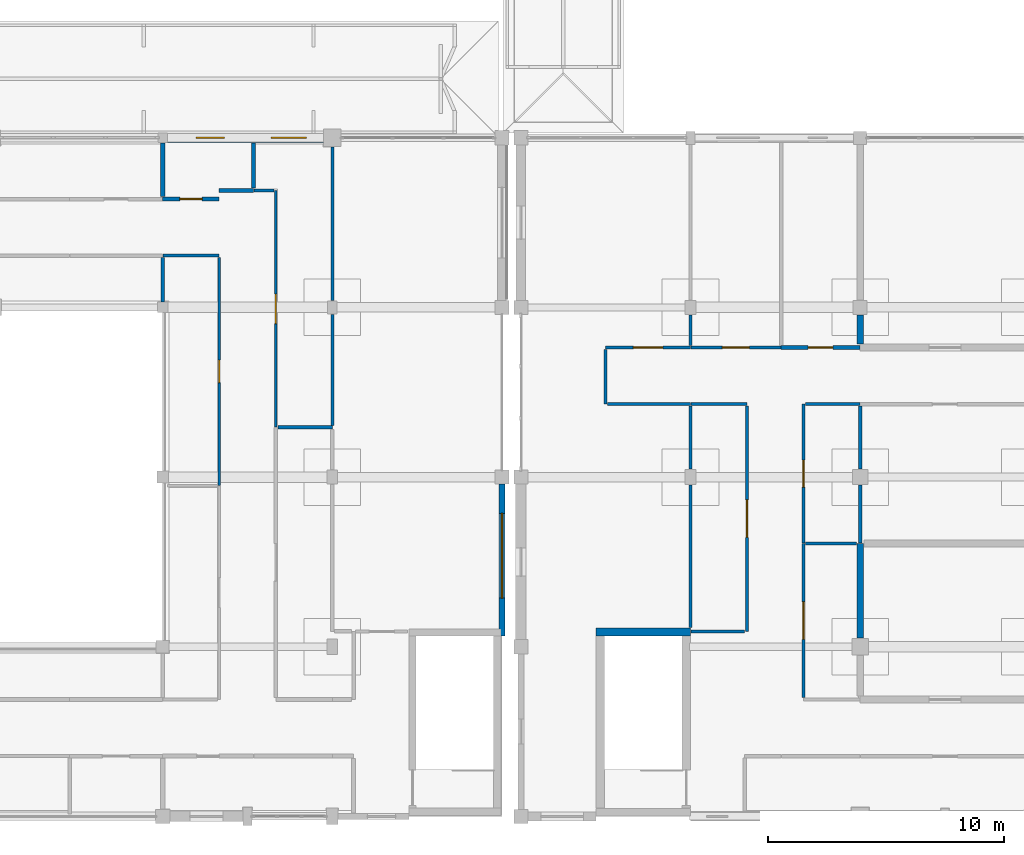
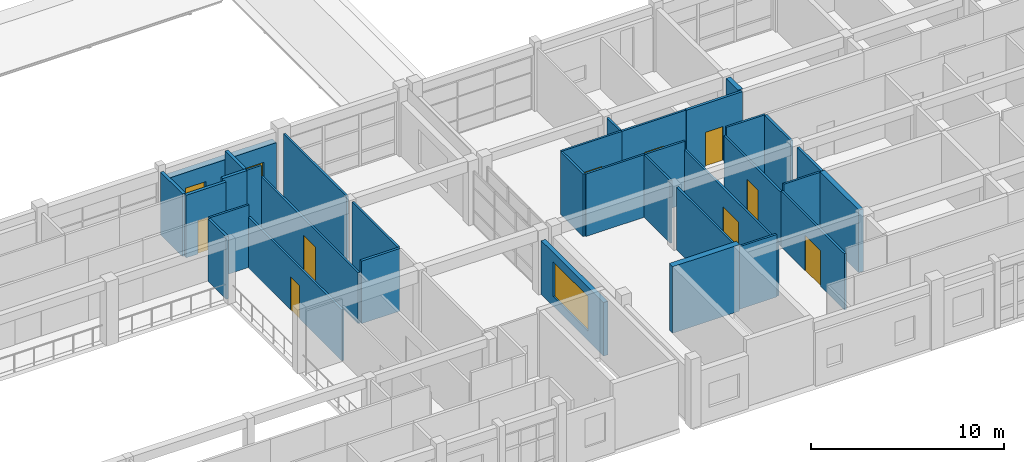
# One storey, part 79 of 110: 34 walls, 9 doors, 3 windows, 12 openings.
"""IFC4 building model written with IfcOpenShell, lengths in metres."""

from ifc_helpers import new_model, si_unit, direction, frame, frame_2d, origin, place, context, subcontext, project, spatial, rectangle, extrude, material, layer, layer_set, type_object, element, fill, save


model = new_model("IFC4")

# Units and contexts
model_context = context("Model", 3, precision=1e-05, world=origin(), true_north=direction((0.0, 1.0)))
body_context = subcontext(model_context, "Body", "Model", "MODEL_VIEW")
ifc_project = project(units=[si_unit("LENGTHUNIT", "METRE"), si_unit("AREAUNIT", "SQUARE_METRE"), si_unit("VOLUMEUNIT", "CUBIC_METRE"), si_unit("PLANEANGLEUNIT", "RADIAN"), si_unit("MASSUNIT", "GRAM", prefix="KILO")], contexts=[model_context])

# Site, building, storey
site_placement = place(None, origin())
site = spatial("IfcSite", under=ifc_project, at=site_placement, CompositionType="ELEMENT")
building_placement = place(site_placement, origin())
building = spatial("IfcBuilding", under=site, at=building_placement, Name="Steenspoor Specialist Clinic", CompositionType="ELEMENT")
storey_placement = place(building_placement, frame((0.0, 0.0, 4.800048828125)))
storey = spatial("IfcBuildingStorey", under=building, at=storey_placement, Name="L01", CompositionType="ELEMENT", Elevation=4.800048828125)

# Wall, openings, windows
ifc_material_1 = material(Name="Extruded clay brick masonry", Category="masonry")
ifc_layer_1 = layer(ifc_material_1, 0.409912109375)
ifc_layer_set_1 = layer_set([ifc_layer_1], Name="Extruded clay brick masonry")
wall_type_1 = type_object("IfcWallType", Name="W-BRICK-410", PredefinedType="USERDEFINED", material=ifc_layer_set_1)
wall_1_placement = place(storey_placement, frame((103.0, 41.85009765625, 0.0), z_axis=(0.0, 0.0, 1.0), x_axis=(1.0, 0.0, 0.0)))
wall_1 = element("IfcWall", 1, at=wall_1_placement, inside=storey, type_object=wall_type_1, Name="Exterior Brick Wall EW-V1-L01-0032", ObjectType="CAVITY VENEER", PredefinedType="USERDEFINED", context=body_context, shape_type="SweptSolid", body=[
    extrude(rectangle(XDim=6.625, YDim=0.409912109375, at=frame_2d((3.3125, 0.0))), origin(), (0.0, 0.0, 1.0), 3.3798828125),
])
opening_1_placement = place(wall_1_placement, frame((1.215087890625, 0.0, 0.89990234375)))
opening_1 = element("IfcOpeningElement", 2, at=opening_1_placement, cuts=wall_1, Name="Opening WN-11", PredefinedType="OPENING", context=body_context, shape_type="SweptSolid", body=[
    extrude(rectangle(XDim=1.199951171875, YDim=1.5, at=frame_2d((0.60009765625, 0.75))), frame((0.0, 0.21484375, 0.0), z_axis=(0.0, -1.0, 0.0), x_axis=(1.0, 0.0, 0.0)), (0.0, 0.0, 1.0), 0.429931640625),
])
opening_2_placement = place(wall_1_placement, frame((4.3974609375, 0.0, 0.89990234375)))
opening_2 = element("IfcOpeningElement", 3, at=opening_2_placement, cuts=wall_1, Name="Opening WN-12", PredefinedType="OPENING", context=body_context, shape_type="SweptSolid", body=[
    extrude(rectangle(XDim=1.5, YDim=1.5, at=frame_2d((0.75, 0.75))), frame((0.0, 0.21484375, 0.0), z_axis=(0.0, -1.0, 0.0), x_axis=(1.0, 0.0, 0.0)), (0.0, 0.0, 1.0), 0.429931640625),
])
ifc_material_2 = material(Name="Thermally broken aluminium and low-emissivity glass", Category="aluminium")
window_type_1 = type_object("IfcWindowType", Name="WN-EXT-120X150", PartitioningType="SINGLE_PANEL", PredefinedType="WINDOW", material=ifc_material_2)
window_1_placement = place(opening_1_placement, origin())
window_1 = element("IfcWindow", 4, at=window_1_placement, inside=storey, type_object=window_type_1, Name="Window 0040", OverallHeight=1.5, OverallWidth=1.199951171875, PartitioningType="SINGLE_PANEL", PredefinedType="WINDOW", context=body_context, shape_type="SweptSolid", body=[
    extrude(rectangle(XDim=1.199951171875, YDim=1.5, at=frame_2d((0.60009765625, 0.75))), frame((0.0, 0.030029296875, 0.0), z_axis=(0.0, -1.0, 0.0), x_axis=(1.0, 0.0, 0.0)), (0.0, 0.0, 1.0), 0.06005859375),
])
fill(opening_1, window_1)
window_type_2 = type_object("IfcWindowType", Name="WN-EXT-150X150", PartitioningType="SINGLE_PANEL", PredefinedType="WINDOW", material=ifc_material_2)
window_2_placement = place(opening_2_placement, origin())
window_2 = element("IfcWindow", 5, at=window_2_placement, inside=storey, type_object=window_type_2, Name="Window 0041", OverallHeight=1.5, OverallWidth=1.5, PartitioningType="SINGLE_PANEL", PredefinedType="WINDOW", context=body_context, shape_type="SweptSolid", body=[
    extrude(rectangle(XDim=1.5, YDim=1.5, at=frame_2d((0.75, 0.75))), frame((0.0, 0.030029296875, 0.0), z_axis=(0.0, -1.0, 0.0), x_axis=(1.0, 0.0, 0.0)), (0.0, 0.0, 1.0), 0.06005859375),
])
fill(opening_2, window_2)

# Wall, opening, door
ifc_material_3 = material(Name="Gypsum acoustic clinical partition", Category="gypsum")
ifc_layer_2 = layer(ifc_material_3, 0.14990234375)
ifc_layer_set_2 = layer_set([ifc_layer_2], Name="Gypsum acoustic clinical partition")
wall_type_2 = type_object("IfcWallType", Name="W-CLIN-150", PredefinedType="PARTITIONING", material=ifc_layer_set_2)
wall_2_placement = place(storey_placement, frame((129.050048828125, 32.949951171875, 0.0), z_axis=(0.0, 0.0, 1.0), x_axis=(1.0, 0.0, 0.0)))
wall_2 = element("IfcWall", 6, at=wall_2_placement, inside=storey, type_object=wall_type_2, Name="Interior Partition IW-V2-L01-0877", PredefinedType="PARTITIONING", context=body_context, shape_type="SweptSolid", body=[
    extrude(rectangle(XDim=3.3349609375, YDim=0.14990234375, at=frame_2d((1.66748046875, 0.0))), origin(), (0.0, 0.0, 1.0), 3.949951171875),
])
opening_3_placement = place(wall_2_placement, frame((1.142578125, 0.0, 0.0)))
opening_3 = element("IfcOpeningElement", 7, at=opening_3_placement, cuts=wall_2, Name="Opening D0124", PredefinedType="OPENING", context=body_context, shape_type="SweptSolid", body=[
    extrude(rectangle(XDim=1.050048828125, YDim=2.14990234375, at=frame_2d((0.52490234375, 1.074951171875))), frame((0.0, 0.0849609375, 0.0), z_axis=(0.0, -1.0, 0.0), x_axis=(1.0, 0.0, 0.0)), (0.0, 0.0, 1.0), 0.169921875),
])
ifc_material_4 = material(Name="Solid-core hardwood office door", Category="wood")
door_type_1 = type_object("IfcDoorType", Name="DT-OFF-105X215", OperationType="NOTDEFINED", PredefinedType="DOOR", material=ifc_material_4)
door_1_placement = place(opening_3_placement, origin())
door_1 = element("IfcDoor", 8, at=door_1_placement, inside=storey, type_object=door_type_1, Name="Clinical Door D0124", OperationType="SINGLE_SWING_LEFT", OverallHeight=2.14990234375, OverallWidth=1.050048828125, PredefinedType="DOOR", context=body_context, shape_type="SweptSolid", body=[
    extrude(rectangle(XDim=1.050048828125, YDim=2.14990234375, at=frame_2d((0.52490234375, 1.074951171875))), frame((0.0, 0.02490234375, 0.0), z_axis=(0.0, -1.0, 0.0), x_axis=(1.0, 0.0, 0.0)), (0.0, 0.0, 1.0), 0.050048828125),
])
fill(opening_3, door_1)

# Walls
wall_3_placement = place(storey_placement, frame((107.68994140625, 29.56005859375, 0.0), z_axis=(0.0, 0.0, 1.0), x_axis=(1.0, 0.0, 0.0)))
element("IfcWall", 9, at=wall_3_placement, inside=storey, type_object=wall_type_2, Name="Interior Partition IW-V1-L01-1134", PredefinedType="PARTITIONING", context=body_context, shape_type="SweptSolid", body=[
    extrude(rectangle(XDim=2.31005859375, YDim=0.14990234375, at=frame_2d((1.155029296875, 0.0))), origin(), (0.0, 0.0, 1.0), 3.949951171875),
])
wall_4_placement = place(storey_placement, frame((102.800048828125, 34.889892578125, 0.0), z_axis=(0.0, 0.0, 1.0), x_axis=(0.0, 1.0, 0.0)))
element("IfcWall", 10, at=wall_4_placement, inside=storey, type_object=wall_type_2, Name="Interior Partition IW-V1-L01-1138", PredefinedType="PARTITIONING", context=body_context, shape_type="SweptSolid", body=[
    extrude(rectangle(XDim=1.8701171875, YDim=0.14990234375, at=frame_2d((0.93505859375, 0.0))), origin(), (0.0, 0.0, 1.0), 3.949951171875),
])
wall_5_placement = place(storey_placement, frame((132.39990234375, 24.64501953125, 0.0), z_axis=(0.0, 0.0, 1.0), x_axis=(0.0, 1.0, 0.0)))
element("IfcWall", 11, at=wall_5_placement, inside=storey, type_object=wall_type_2, Name="Interior Partition IW-V2-L01-1171", PredefinedType="PARTITIONING", context=body_context, shape_type="SweptSolid", body=[
    extrude(rectangle(XDim=2.465087890625, YDim=0.14990234375, at=frame_2d((1.232421875, 0.0))), origin(), (0.0, 0.0, 1.0), 3.949951171875),
])
wall_6_placement = place(storey_placement, frame((132.39990234375, 27.7900390625, 0.0), z_axis=(0.0, 0.0, 1.0), x_axis=(0.0, 1.0, 0.0)))
element("IfcWall", 12, at=wall_6_placement, inside=storey, type_object=wall_type_2, Name="Interior Partition IW-V2-L01-1172", PredefinedType="PARTITIONING", context=body_context, shape_type="SweptSolid", body=[
    extrude(rectangle(XDim=2.669921875, YDim=0.14990234375, at=frame_2d((1.3349609375, 0.0))), origin(), (0.0, 0.0, 1.0), 3.949951171875),
])
ifc_material_5 = material(Name="Gypsum studio partition board", Category="gypsum")
ifc_layer_3 = layer(ifc_material_5, 0.1201171875)
ifc_layer_set_3 = layer_set([ifc_layer_3], Name="Gypsum studio partition board")
wall_type_3 = type_object("IfcWallType", Name="W-PART-120", PredefinedType="PARTITIONING", material=ifc_layer_set_3)
wall_7_placement = place(storey_placement, frame((102.81494140625, 36.85009765625, 0.0), z_axis=(0.0, 0.0, 1.0), x_axis=(1.0, 0.0, 0.0)))
element("IfcWall", 13, at=wall_7_placement, inside=storey, type_object=wall_type_3, Name="Interior Partition IW-V1-L01-0948", PredefinedType="PARTITIONING", context=body_context, shape_type="SweptSolid", body=[
    extrude(rectangle(XDim=2.385009765625, YDim=0.1201171875, at=frame_2d((1.1923828125, 0.0))), origin(), (0.0, 0.0, 1.0), 3.949951171875),
])

# Wall, opening, door
wall_8_placement = place(storey_placement, frame((105.199951171875, 27.094970703125, 0.0), z_axis=(0.0, 0.0, 1.0), x_axis=(0.0, 1.0, 0.0)))
wall_8 = element("IfcWall", 14, at=wall_8_placement, inside=storey, type_object=wall_type_3, Name="Interior Partition IW-V1-L01-0949", PredefinedType="PARTITIONING", context=body_context, shape_type="SweptSolid", body=[
    extrude(rectangle(XDim=9.679931640625, YDim=0.1201171875, at=frame_2d((4.83984375, 0.0))), origin(), (0.0, 0.0, 1.0), 3.219970703125),
])
opening_4_placement = place(wall_8_placement, frame((4.364990234375, 0.0, 0.0)))
opening_4 = element("IfcOpeningElement", 15, at=opening_4_placement, cuts=wall_8, Name="Opening D0066", PredefinedType="OPENING", context=body_context, shape_type="SweptSolid", body=[
    extrude(rectangle(XDim=0.949951171875, YDim=2.10009765625, at=frame_2d((0.47509765625, 1.050048828125))), frame((0.0, 0.070068359375, 0.0), z_axis=(0.0, -1.0, 0.0), x_axis=(1.0, 0.0, 0.0)), (0.0, 0.0, 1.0), 0.14013671875),
])
ifc_material_6 = material(Name="Moisture-resistant HPL sanitary door", Category="wood")
door_type_2 = type_object("IfcDoorType", Name="DT-WC-095X210", OperationType="NOTDEFINED", PredefinedType="DOOR", material=ifc_material_6)
door_2_placement = place(opening_4_placement, origin())
door_2 = element("IfcDoor", 16, at=door_2_placement, inside=storey, type_object=door_type_2, Name="Clinical Door D0066", OperationType="SINGLE_SWING_LEFT", OverallHeight=2.10009765625, OverallWidth=0.949951171875, PredefinedType="DOOR", context=body_context, shape_type="SweptSolid", body=[
    extrude(rectangle(XDim=0.949951171875, YDim=2.10009765625, at=frame_2d((0.47509765625, 1.050048828125))), frame((0.0, 0.02490234375, 0.0), z_axis=(0.0, -1.0, 0.0), x_axis=(1.0, 0.0, 0.0)), (0.0, 0.0, 1.0), 0.050048828125),
])
fill(opening_4, door_2)

wall_9_placement = place(storey_placement, frame((107.60009765625, 29.574951171875, 0.0), z_axis=(0.0, 0.0, 1.0), x_axis=(0.0, 1.0, 0.0)))
wall_9 = element("IfcWall", 17, at=wall_9_placement, inside=storey, type_object=wall_type_3, Name="Interior Partition IW-V1-L01-0950", PredefinedType="PARTITIONING", context=body_context, shape_type="SweptSolid", body=[
    extrude(rectangle(XDim=10.03515625, YDim=0.1201171875, at=frame_2d((5.017578125, 0.0))), origin(), (0.0, 0.0, 1.0), 3.219970703125),
])
opening_5_placement = place(wall_9_placement, frame((4.392578125, 0.0, 0.0)))
opening_5 = element("IfcOpeningElement", 18, at=opening_5_placement, cuts=wall_9, Name="Opening D0068", PredefinedType="OPENING", context=body_context, shape_type="SweptSolid", body=[
    extrude(rectangle(XDim=1.25, YDim=2.14990234375, at=frame_2d((0.625, 1.074951171875))), frame((0.0, 0.070068359375, 0.0), z_axis=(0.0, -1.0, 0.0), x_axis=(1.0, 0.0, 0.0)), (0.0, 0.0, 1.0), 0.14013671875),
])
ifc_material_7 = material(Name="Hygienic HPL clinical timber door", Category="wood")
door_type_3 = type_object("IfcDoorType", Name="DT-EXAM-125X215", OperationType="NOTDEFINED", PredefinedType="DOOR", material=ifc_material_7)
door_3_placement = place(opening_5_placement, origin())
door_3 = element("IfcDoor", 19, at=door_3_placement, inside=storey, type_object=door_type_3, Name="Clinical Door D0068", OperationType="SINGLE_SWING_LEFT", OverallHeight=2.14990234375, OverallWidth=1.25, PredefinedType="DOOR", context=body_context, shape_type="SweptSolid", body=[
    extrude(rectangle(XDim=1.25, YDim=2.14990234375, at=frame_2d((0.625, 1.074951171875))), frame((0.0, 0.02490234375, 0.0), z_axis=(0.0, -1.0, 0.0), x_axis=(1.0, 0.0, 0.0)), (0.0, 0.0, 1.0), 0.050048828125),
])
fill(opening_5, door_3)

# Wall
wall_10_placement = place(storey_placement, frame((106.6650390625, 39.610107421875, 0.0), z_axis=(0.0, 0.0, 1.0), x_axis=(1.0, 0.0, 0.0)))
element("IfcWall", 20, at=wall_10_placement, inside=storey, type_object=wall_type_3, Name="Interior Partition IW-V1-L01-0951", PredefinedType="PARTITIONING", context=body_context, shape_type="SweptSolid", body=[
    extrude(rectangle(XDim=0.85986328125, YDim=0.1201171875, at=frame_2d((0.429931640625, 0.0))), origin(), (0.0, 0.0, 1.0), 3.949951171875),
])

# Wall, opening, door
wall_11_placement = place(storey_placement, frame((121.60009765625, 32.949951171875, 0.0), z_axis=(0.0, 0.0, 1.0), x_axis=(1.0, 0.0, 0.0)))
wall_11 = element("IfcWall", 21, at=wall_11_placement, inside=storey, type_object=wall_type_3, Name="Interior Partition IW-V2-L01-0957", PredefinedType="PARTITIONING", context=body_context, shape_type="SweptSolid", body=[
    extrude(rectangle(XDim=3.599853515625, YDim=0.1201171875, at=frame_2d((1.7998046875, 0.0))), origin(), (0.0, 0.0, 1.0), 3.949951171875),
])
opening_6_placement = place(wall_11_placement, frame((1.175048828125, 0.0, 0.0)))
opening_6 = element("IfcOpeningElement", 22, at=opening_6_placement, cuts=wall_11, Name="Opening D0105", PredefinedType="OPENING", context=body_context, shape_type="SweptSolid", body=[
    extrude(rectangle(XDim=1.25, YDim=2.14990234375, at=frame_2d((0.625, 1.074951171875))), frame((0.0, 0.070068359375, 0.0), z_axis=(0.0, -1.0, 0.0), x_axis=(1.0, 0.0, 0.0)), (0.0, 0.0, 1.0), 0.14013671875),
])
door_4_placement = place(opening_6_placement, origin())
door_4 = element("IfcDoor", 23, at=door_4_placement, inside=storey, type_object=door_type_3, Name="Clinical Door D0105", OperationType="SINGLE_SWING_RIGHT", OverallHeight=2.14990234375, OverallWidth=1.25, PredefinedType="DOOR", context=body_context, shape_type="SweptSolid", body=[
    extrude(rectangle(XDim=1.25, YDim=2.14990234375, at=frame_2d((0.625, 1.074951171875))), frame((0.0, 0.02490234375, 0.0), z_axis=(0.0, -1.0, 0.0), x_axis=(1.0, 0.0, 0.0)), (0.0, 0.0, 1.0), 0.050048828125),
])
fill(opening_6, door_4)

# Walls
wall_12_placement = place(storey_placement, frame((121.60009765625, 30.550048828125, 0.0), z_axis=(0.0, 0.0, 1.0), x_axis=(0.0, 1.0, 0.0)))
element("IfcWall", 24, at=wall_12_placement, inside=storey, type_object=wall_type_3, Name="Interior Partition IW-V2-L01-0958", PredefinedType="PARTITIONING", context=body_context, shape_type="SweptSolid", body=[
    extrude(rectangle(XDim=2.324951171875, YDim=0.1201171875, at=frame_2d((1.16259765625, 0.0))), origin(), (0.0, 0.0, 1.0), 3.949951171875),
])
wall_13_placement = place(storey_placement, frame((121.675048828125, 30.550048828125, 0.0), z_axis=(0.0, 0.0, 1.0), x_axis=(1.0, 0.0, 0.0)))
element("IfcWall", 25, at=wall_13_placement, inside=storey, type_object=wall_type_3, Name="Interior Partition IW-V2-L01-0959", PredefinedType="PARTITIONING", context=body_context, shape_type="SweptSolid", body=[
    extrude(rectangle(XDim=3.52490234375, YDim=0.1201171875, at=frame_2d((1.762451171875, 0.0))), origin(), (0.0, 0.0, 1.0), 3.949951171875),
])

# Wall, opening, door
wall_14_placement = place(storey_placement, frame((130.0, 18.0849609375, 0.0), z_axis=(0.0, 0.0, 1.0), x_axis=(0.0, 1.0, 0.0)))
wall_14 = element("IfcWall", 26, at=wall_14_placement, inside=storey, type_object=wall_type_3, Name="Interior Partition IW-V2-L01-0961", PredefinedType="PARTITIONING", context=body_context, shape_type="SweptSolid", body=[
    extrude(rectangle(XDim=6.544921875, YDim=0.1201171875, at=frame_2d((3.2724609375, 0.0))), origin(), (0.0, 0.0, 1.0), 3.5400390625),
])
opening_7_placement = place(wall_14_placement, frame((2.472412109375, 0.0, 0.0)))
opening_7 = element("IfcOpeningElement", 27, at=opening_7_placement, cuts=wall_14, Name="Opening D0109", PredefinedType="OPENING", context=body_context, shape_type="SweptSolid", body=[
    extrude(rectangle(XDim=1.60009765625, YDim=2.25, at=frame_2d((0.800048828125, 1.125))), frame((0.0, 0.070068359375, 0.0), z_axis=(0.0, -1.0, 0.0), x_axis=(1.0, 0.0, 0.0)), (0.0, 0.0, 1.0), 0.14013671875),
])
door_type_4 = type_object("IfcDoorType", Name="DT-PROC-160X225", OperationType="NOTDEFINED", PredefinedType="DOOR", material=ifc_material_7)
door_5_placement = place(opening_7_placement, origin())
door_5 = element("IfcDoor", 28, at=door_5_placement, inside=storey, type_object=door_type_4, Name="Clinical Door D0109", OperationType="SINGLE_SWING_RIGHT", OverallHeight=2.25, OverallWidth=1.60009765625, PredefinedType="DOOR", context=body_context, shape_type="SweptSolid", body=[
    extrude(rectangle(XDim=1.60009765625, YDim=2.25, at=frame_2d((0.800048828125, 1.125))), frame((0.0, 0.02490234375, 0.0), z_axis=(0.0, -1.0, 0.0), x_axis=(1.0, 0.0, 0.0)), (0.0, 0.0, 1.0), 0.050048828125),
])
fill(opening_7, door_5)

# Walls
wall_15_placement = place(storey_placement, frame((125.215087890625, 20.89990234375, 0.0), z_axis=(0.0, 0.0, 1.0), x_axis=(1.0, 0.0, 0.0)))
element("IfcWall", 29, at=wall_15_placement, inside=storey, type_object=wall_type_3, Name="Interior Partition IW-V2-L01-0964", PredefinedType="PARTITIONING", context=body_context, shape_type="SweptSolid", body=[
    extrude(rectangle(XDim=2.284912109375, YDim=0.1201171875, at=frame_2d((1.142578125, 0.0))), origin(), (0.0, 0.0, 1.0), 3.949951171875),
])
wall_16_placement = place(storey_placement, frame((125.215087890625, 30.550048828125, 0.0), z_axis=(0.0, 0.0, 1.0), x_axis=(1.0, 0.0, 0.0)))
element("IfcWall", 30, at=wall_16_placement, inside=storey, type_object=wall_type_3, Name="Interior Partition IW-V2-L01-0965", PredefinedType="PARTITIONING", context=body_context, shape_type="SweptSolid", body=[
    extrude(rectangle(XDim=2.385009765625, YDim=0.1201171875, at=frame_2d((1.1923828125, 0.0))), origin(), (0.0, 0.0, 1.0), 3.949951171875),
])

# Wall, opening, door
wall_17_placement = place(storey_placement, frame((127.60009765625, 20.89990234375, 0.0), z_axis=(0.0, 0.0, 1.0), x_axis=(0.0, 1.0, 0.0)))
wall_17 = element("IfcWall", 31, at=wall_17_placement, inside=storey, type_object=wall_type_3, Name="Interior Partition IW-V2-L01-0966", PredefinedType="PARTITIONING", context=body_context, shape_type="SweptSolid", body=[
    extrude(rectangle(XDim=9.5751953125, YDim=0.1201171875, at=frame_2d((4.78759765625, 0.0))), origin(), (0.0, 0.0, 1.0), 3.43994140625),
])
opening_8_placement = place(wall_17_placement, frame((3.987548828125, 0.0, 0.0)))
opening_8 = element("IfcOpeningElement", 32, at=opening_8_placement, cuts=wall_17, Name="Opening D0115", PredefinedType="OPENING", context=body_context, shape_type="SweptSolid", body=[
    extrude(rectangle(XDim=1.60009765625, YDim=2.25, at=frame_2d((0.800048828125, 1.125))), frame((0.0, 0.070068359375, 0.0), z_axis=(0.0, -1.0, 0.0), x_axis=(1.0, 0.0, 0.0)), (0.0, 0.0, 1.0), 0.14013671875),
])
door_6_placement = place(opening_8_placement, origin())
door_6 = element("IfcDoor", 33, at=door_6_placement, inside=storey, type_object=door_type_4, Name="Clinical Door D0115", OperationType="SINGLE_SWING_RIGHT", OverallHeight=2.25, OverallWidth=1.60009765625, PredefinedType="DOOR", context=body_context, shape_type="SweptSolid", body=[
    extrude(rectangle(XDim=1.60009765625, YDim=2.25, at=frame_2d((0.800048828125, 1.125))), frame((0.0, 0.02490234375, 0.0), z_axis=(0.0, -1.0, 0.0), x_axis=(1.0, 0.0, 0.0)), (0.0, 0.0, 1.0), 0.050048828125),
])
fill(opening_8, door_6)

wall_18_placement = place(storey_placement, frame((130.0, 24.64501953125, 0.0), z_axis=(0.0, 0.0, 1.0), x_axis=(0.0, 1.0, 0.0)))
wall_18 = element("IfcWall", 34, at=wall_18_placement, inside=storey, type_object=wall_type_3, Name="Interior Partition IW-V2-L01-0967", PredefinedType="PARTITIONING", context=body_context, shape_type="SweptSolid", body=[
    extrude(rectangle(XDim=5.905029296875, YDim=0.1201171875, at=frame_2d((2.95263671875, 0.0))), origin(), (0.0, 0.0, 1.0), 3.43994140625),
])
opening_9_placement = place(wall_18_placement, frame((2.37744140625, 0.0, 0.0)))
opening_9 = element("IfcOpeningElement", 35, at=opening_9_placement, cuts=wall_18, Name="Opening D0117", PredefinedType="OPENING", context=body_context, shape_type="SweptSolid", body=[
    extrude(rectangle(XDim=1.14990234375, YDim=2.14990234375, at=frame_2d((0.574951171875, 1.074951171875))), frame((0.0, 0.070068359375, 0.0), z_axis=(0.0, -1.0, 0.0), x_axis=(1.0, 0.0, 0.0)), (0.0, 0.0, 1.0), 0.14013671875),
])
ifc_material_8 = material(Name="Solid-core hardwood clinical door", Category="wood")
door_type_5 = type_object("IfcDoorType", Name="DT-CONS-115X215", OperationType="NOTDEFINED", PredefinedType="DOOR", material=ifc_material_8)
door_7_placement = place(opening_9_placement, origin())
door_7 = element("IfcDoor", 36, at=door_7_placement, inside=storey, type_object=door_type_5, Name="Clinical Door D0117", OperationType="SINGLE_SWING_RIGHT", OverallHeight=2.14990234375, OverallWidth=1.14990234375, PredefinedType="DOOR", context=body_context, shape_type="SweptSolid", body=[
    extrude(rectangle(XDim=1.14990234375, YDim=2.14990234375, at=frame_2d((0.574951171875, 1.074951171875))), frame((0.0, 0.02490234375, 0.0), z_axis=(0.0, -1.0, 0.0), x_axis=(1.0, 0.0, 0.0)), (0.0, 0.0, 1.0), 0.050048828125),
])
fill(opening_9, door_7)

# Wall
wall_19_placement = place(storey_placement, frame((130.074951171875, 30.550048828125, 0.0), z_axis=(0.0, 0.0, 1.0), x_axis=(1.0, 0.0, 0.0)))
element("IfcWall", 37, at=wall_19_placement, inside=storey, type_object=wall_type_3, Name="Interior Partition IW-V2-L01-0968", PredefinedType="PARTITIONING", context=body_context, shape_type="SweptSolid", body=[
    extrude(rectangle(XDim=2.31005859375, YDim=0.1201171875, at=frame_2d((1.155029296875, 0.0))), origin(), (0.0, 0.0, 1.0), 3.949951171875),
])

# Wall, opening, door
wall_20_placement = place(storey_placement, frame((125.215087890625, 32.949951171875, 0.0), z_axis=(0.0, 0.0, 1.0), x_axis=(1.0, 0.0, 0.0)))
wall_20 = element("IfcWall", 38, at=wall_20_placement, inside=storey, type_object=wall_type_3, Name="Interior Partition IW-V2-L01-0971", PredefinedType="PARTITIONING", context=body_context, shape_type="SweptSolid", body=[
    extrude(rectangle(XDim=3.81982421875, YDim=0.1201171875, at=frame_2d((1.909912109375, 0.0))), origin(), (0.0, 0.0, 1.0), 3.949951171875),
])
opening_10_placement = place(wall_20_placement, frame((1.3349609375, 0.0, 0.0)))
opening_10 = element("IfcOpeningElement", 39, at=opening_10_placement, cuts=wall_20, Name="Opening D0123", PredefinedType="OPENING", context=body_context, shape_type="SweptSolid", body=[
    extrude(rectangle(XDim=1.14990234375, YDim=2.14990234375, at=frame_2d((0.574951171875, 1.074951171875))), frame((0.0, 0.070068359375, 0.0), z_axis=(0.0, -1.0, 0.0), x_axis=(1.0, 0.0, 0.0)), (0.0, 0.0, 1.0), 0.14013671875),
])
door_8_placement = place(opening_10_placement, origin())
door_8 = element("IfcDoor", 40, at=door_8_placement, inside=storey, type_object=door_type_5, Name="Clinical Door D0123", OperationType="SINGLE_SWING_RIGHT", OverallHeight=2.14990234375, OverallWidth=1.14990234375, PredefinedType="DOOR", context=body_context, shape_type="SweptSolid", body=[
    extrude(rectangle(XDim=1.14990234375, YDim=2.14990234375, at=frame_2d((0.574951171875, 1.074951171875))), frame((0.0, 0.02490234375, 0.0), z_axis=(0.0, -1.0, 0.0), x_axis=(1.0, 0.0, 0.0)), (0.0, 0.0, 1.0), 0.050048828125),
])
fill(opening_10, door_8)

# Walls
wall_21_placement = place(storey_placement, frame((110.0, 29.64990234375, 0.0), z_axis=(0.0, 0.0, 1.0), x_axis=(0.0, 1.0, 0.0)))
element("IfcWall", 41, at=wall_21_placement, inside=storey, type_object=wall_type_3, Name="Interior Partition IW-V1-L01-1216", PredefinedType="PARTITIONING", context=body_context, shape_type="SweptSolid", body=[
    extrude(rectangle(XDim=4.710205078125, YDim=0.1201171875, at=frame_2d((2.35498046875, 0.0))), origin(), (0.0, 0.0, 1.0), 3.949951171875),
])
wall_22_placement = place(storey_placement, frame((110.0, 34.93994140625, 0.0), z_axis=(0.0, 0.0, 1.0), x_axis=(0.0, 1.0, 0.0)))
element("IfcWall", 42, at=wall_22_placement, inside=storey, type_object=wall_type_3, Name="Interior Partition IW-V1-L01-1217", PredefinedType="PARTITIONING", context=body_context, shape_type="SweptSolid", body=[
    extrude(rectangle(XDim=6.52001953125, YDim=0.1201171875, at=frame_2d((3.260009765625, 0.0))), origin(), (0.0, 0.0, 1.0), 3.949951171875),
])
wall_23_placement = place(storey_placement, frame((125.199951171875, 33.02490234375, 0.0), z_axis=(0.0, 0.0, 1.0), x_axis=(0.0, 1.0, 0.0)))
element("IfcWall", 43, at=wall_23_placement, inside=storey, type_object=wall_type_3, Name="Interior Partition IW-V2-L01-1218", PredefinedType="PARTITIONING", context=body_context, shape_type="SweptSolid", body=[
    extrude(rectangle(XDim=1.31005859375, YDim=0.1201171875, at=frame_2d((0.655029296875, 0.0))), origin(), (0.0, 0.0, 1.0), 3.949951171875),
])
wall_24_placement = place(storey_placement, frame((125.199951171875, 21.06494140625, 0.0), z_axis=(0.0, 0.0, 1.0), x_axis=(0.0, 1.0, 0.0)))
element("IfcWall", 44, at=wall_24_placement, inside=storey, type_object=wall_type_3, Name="Interior Partition IW-V2-L01-1220", PredefinedType="PARTITIONING", context=body_context, shape_type="SweptSolid", body=[
    extrude(rectangle(XDim=6.045166015625, YDim=0.1201171875, at=frame_2d((3.0224609375, 0.0))), origin(), (0.0, 0.0, 1.0), 3.949951171875),
])
wall_25_placement = place(storey_placement, frame((125.199951171875, 27.7900390625, 0.0), z_axis=(0.0, 0.0, 1.0), x_axis=(0.0, 1.0, 0.0)))
element("IfcWall", 45, at=wall_25_placement, inside=storey, type_object=wall_type_3, Name="Interior Partition IW-V2-L01-1221", PredefinedType="PARTITIONING", context=body_context, shape_type="SweptSolid", body=[
    extrude(rectangle(XDim=2.68505859375, YDim=0.1201171875, at=frame_2d((1.342529296875, 0.0))), origin(), (0.0, 0.0, 1.0), 3.949951171875),
])
wall_26_placement = place(storey_placement, frame((130.074951171875, 24.6298828125, 0.0), z_axis=(0.0, 0.0, 1.0), x_axis=(1.0, 0.0, 0.0)))
element("IfcWall", 46, at=wall_26_placement, inside=storey, type_object=wall_type_3, Name="Interior Partition IW-V2-L01-1222", PredefinedType="PARTITIONING", context=body_context, shape_type="SweptSolid", body=[
    extrude(rectangle(XDim=2.170166015625, YDim=0.1201171875, at=frame_2d((1.0849609375, 0.0))), origin(), (0.0, 0.0, 1.0), 3.949951171875),
])
ifc_material_9 = material(Name="Moisture-resistant gypsum plumbing wall", Category="gypsum")
ifc_layer_4 = layer(ifc_material_9, 0.179931640625)
ifc_layer_set_4 = layer_set([ifc_layer_4], Name="Moisture-resistant gypsum plumbing wall")
wall_type_4 = type_object("IfcWallType", Name="W-PLUMB-180", PredefinedType="PLUMBINGWALL", material=ifc_layer_set_4)
wall_27_placement = place(storey_placement, frame((105.199951171875, 39.610107421875, 0.0), z_axis=(0.0, 0.0, 1.0), x_axis=(1.0, 0.0, 0.0)))
element("IfcWall", 47, at=wall_27_placement, inside=storey, type_object=wall_type_4, Name="Interior Partition IW-V1-L01-0748", PredefinedType="PLUMBINGWALL", context=body_context, shape_type="SweptSolid", body=[
    extrude(rectangle(XDim=1.449951171875, YDim=0.179931640625, at=frame_2d((0.72509765625, 0.0))), origin(), (0.0, 0.0, 1.0), 3.949951171875),
])

# Wall, opening, door
wall_28_placement = place(storey_placement, frame((102.800048828125, 39.25, 0.0), z_axis=(0.0, 0.0, 1.0), x_axis=(1.0, 0.0, 0.0)))
wall_28 = element("IfcWall", 48, at=wall_28_placement, inside=storey, type_object=wall_type_4, Name="Interior Partition IW-V1-L01-0749", PredefinedType="PLUMBINGWALL", context=body_context, shape_type="SweptSolid", body=[
    extrude(rectangle(XDim=2.39990234375, YDim=0.179931640625, at=frame_2d((1.199951171875, 0.0))), origin(), (0.0, 0.0, 1.0), 3.949951171875),
])
opening_11_placement = place(wall_28_placement, frame((0.72509765625, 0.0, 0.0)))
opening_11 = element("IfcOpeningElement", 49, at=opening_11_placement, cuts=wall_28, Name="Opening D0078", PredefinedType="OPENING", context=body_context, shape_type="SweptSolid", body=[
    extrude(rectangle(XDim=0.949951171875, YDim=2.10009765625, at=frame_2d((0.47509765625, 1.050048828125))), frame((0.0, 0.10009765625, 0.0), z_axis=(0.0, -1.0, 0.0), x_axis=(1.0, 0.0, 0.0)), (0.0, 0.0, 1.0), 0.199951171875),
])
door_9_placement = place(opening_11_placement, origin())
door_9 = element("IfcDoor", 50, at=door_9_placement, inside=storey, type_object=door_type_2, Name="Clinical Door D0078", OperationType="SINGLE_SWING_LEFT", OverallHeight=2.10009765625, OverallWidth=0.949951171875, PredefinedType="DOOR", context=body_context, shape_type="SweptSolid", body=[
    extrude(rectangle(XDim=0.949951171875, YDim=2.10009765625, at=frame_2d((0.47509765625, 1.050048828125))), frame((0.0, 0.02490234375, 0.0), z_axis=(0.0, -1.0, 0.0), x_axis=(1.0, 0.0, 0.0)), (0.0, 0.0, 1.0), 0.050048828125),
])
fill(opening_11, door_9)

# Walls
wall_29_placement = place(storey_placement, frame((106.64990234375, 39.715087890625, 0.0), z_axis=(0.0, 0.0, 1.0), x_axis=(0.0, 1.0, 0.0)))
element("IfcWall", 51, at=wall_29_placement, inside=storey, type_object=wall_type_4, Name="Interior Partition IW-V1-L01-1076", PredefinedType="PLUMBINGWALL", context=body_context, shape_type="SweptSolid", body=[
    extrude(rectangle(XDim=1.914794921875, YDim=0.179931640625, at=frame_2d((0.95751953125, 0.0))), origin(), (0.0, 0.0, 1.0), 3.949951171875),
])
wall_30_placement = place(storey_placement, frame((102.800048828125, 39.35498046875, 0.0), z_axis=(0.0, 0.0, 1.0), x_axis=(0.0, 1.0, 0.0)))
element("IfcWall", 52, at=wall_30_placement, inside=storey, type_object=wall_type_4, Name="Interior Partition IW-V1-L01-1080", PredefinedType="PLUMBINGWALL", context=body_context, shape_type="SweptSolid", body=[
    extrude(rectangle(XDim=2.280029296875, YDim=0.179931640625, at=frame_2d((1.14013671875, 0.0))), origin(), (0.0, 0.0, 1.0), 3.949951171875),
])
ifc_material_10 = material(Name="Lead-lined radiation brick partition", Category="masonry")
ifc_layer_5 = layer(ifc_material_10, 0.280029296875)
ifc_layer_set_5 = layer_set([ifc_layer_5], Name="Lead-lined radiation brick partition")
wall_type_5 = type_object("IfcWallType", Name="W-RAD-280", PredefinedType="PARTITIONING", material=ifc_layer_set_5)
wall_31_placement = place(storey_placement, frame((132.39990234375, 20.614990234375, 0.0), z_axis=(0.0, 0.0, 1.0), x_axis=(0.0, 1.0, 0.0)))
element("IfcWall", 53, at=wall_31_placement, inside=storey, type_object=wall_type_5, Name="Interior Partition IW-V2-L01-1029", PredefinedType="PARTITIONING", context=body_context, shape_type="SweptSolid", body=[
    extrude(rectangle(XDim=4.014892578125, YDim=0.280029296875, at=frame_2d((2.00732421875, 0.0))), origin(), (0.0, 0.0, 1.0), 3.949951171875),
])
wall_32_placement = place(storey_placement, frame((132.39990234375, 33.10498046875, 0.0), z_axis=(0.0, 0.0, 1.0), x_axis=(0.0, 1.0, 0.0)))
element("IfcWall", 54, at=wall_32_placement, inside=storey, type_object=wall_type_5, Name="Interior Partition IW-V2-L01-1033", PredefinedType="PARTITIONING", context=body_context, shape_type="SweptSolid", body=[
    extrude(rectangle(XDim=1.22998046875, YDim=0.280029296875, at=frame_2d((0.614990234375, 0.0))), origin(), (0.0, 0.0, 1.0), 3.949951171875),
])

# Wall, opening, window
ifc_layer_6 = layer(ifc_material_1, 0.260009765625)
ifc_layer_set_6 = layer_set([ifc_layer_6], Name="Extruded clay brick masonry")
wall_type_6 = type_object("IfcWallType", Name="W-SCREEN-260", PredefinedType="SOLIDWALL", material=ifc_layer_set_6)
wall_33_placement = place(storey_placement, frame((117.199951171875, 27.14990234375, 0.0), z_axis=(0.0, 0.0, 1.0), x_axis=(0.0, -1.0, 0.0)))
wall_33 = element("IfcWall", 55, at=wall_33_placement, inside=storey, type_object=wall_type_6, Name="Exterior Brick Wall EW-V1-L01-0034", PredefinedType="SOLIDWALL", context=body_context, shape_type="SweptSolid", body=[
    extrude(rectangle(XDim=6.449951171875, YDim=0.260009765625, at=frame_2d((3.22509765625, 0.0))), origin(), (0.0, 0.0, 1.0), 3.3798828125),
])
opening_12_placement = place(wall_33_placement, frame((1.239990234375, 0.0, 0.60009765625)))
opening_12 = element("IfcOpeningElement", 56, at=opening_12_placement, cuts=wall_33, Name="Opening WN-20", PredefinedType="OPENING", context=body_context, shape_type="SweptSolid", body=[
    extrude(rectangle(XDim=3.60009765625, YDim=2.199951171875, at=frame_2d((1.800048828125, 1.10009765625))), frame((0.0, 0.14013671875, 0.0), z_axis=(0.0, -1.0, 0.0), x_axis=(1.0, 0.0, 0.0)), (0.0, 0.0, 1.0), 0.280029296875),
])
window_type_3 = type_object("IfcWindowType", Name="WN-EXT-360X220", PartitioningType="SINGLE_PANEL", PredefinedType="WINDOW", material=ifc_material_2)
window_3_placement = place(opening_12_placement, origin())
window_3 = element("IfcWindow", 57, at=window_3_placement, inside=storey, type_object=window_type_3, Name="Window 0043", OverallHeight=2.199951171875, OverallWidth=3.60009765625, PartitioningType="SINGLE_PANEL", PredefinedType="WINDOW", context=body_context, shape_type="SweptSolid", body=[
    extrude(rectangle(XDim=3.60009765625, YDim=2.199951171875, at=frame_2d((1.800048828125, 1.10009765625))), frame((0.0, 0.030029296875, 0.0), z_axis=(0.0, -1.0, 0.0), x_axis=(1.0, 0.0, 0.0)), (0.0, 0.0, 1.0), 0.06005859375),
])
fill(opening_12, window_3)

# Wall
ifc_material_11 = material(Name="Concrete C40/50", Category="concrete")
ifc_layer_7 = layer(ifc_material_11, 0.35009765625)
ifc_layer_set_7 = layer_set([ifc_layer_7], Name="Concrete C40/50")
wall_type_7 = type_object("IfcWallType", Name="W-SW-350", PredefinedType="SHEAR", material=ifc_layer_set_7)
wall_34_placement = place(storey_placement, frame((121.199951171875, 20.875, 0.0), z_axis=(0.0, 0.0, 1.0), x_axis=(1.0, 0.0, 0.0)))
element("IfcWall", 58, at=wall_34_placement, inside=storey, type_object=wall_type_7, Name="Core Shear Wall SW-ST-V2A-L01-N", PredefinedType="SHEAR", context=body_context, shape_type="SweptSolid", body=[
    extrude(rectangle(XDim=4.0, YDim=0.35009765625, at=frame_2d((2.0, 0.0))), origin(), (0.0, 0.0, 1.0), 4.199951171875),
])

save(model, "model.ifc")
